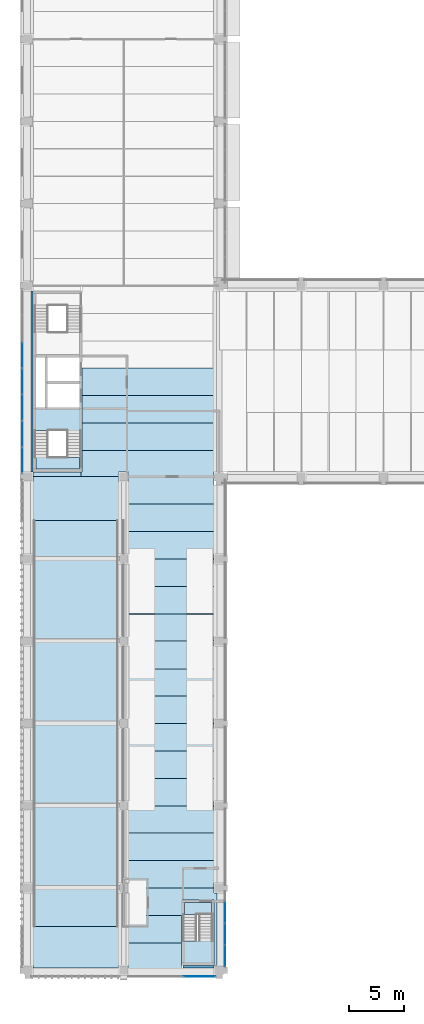
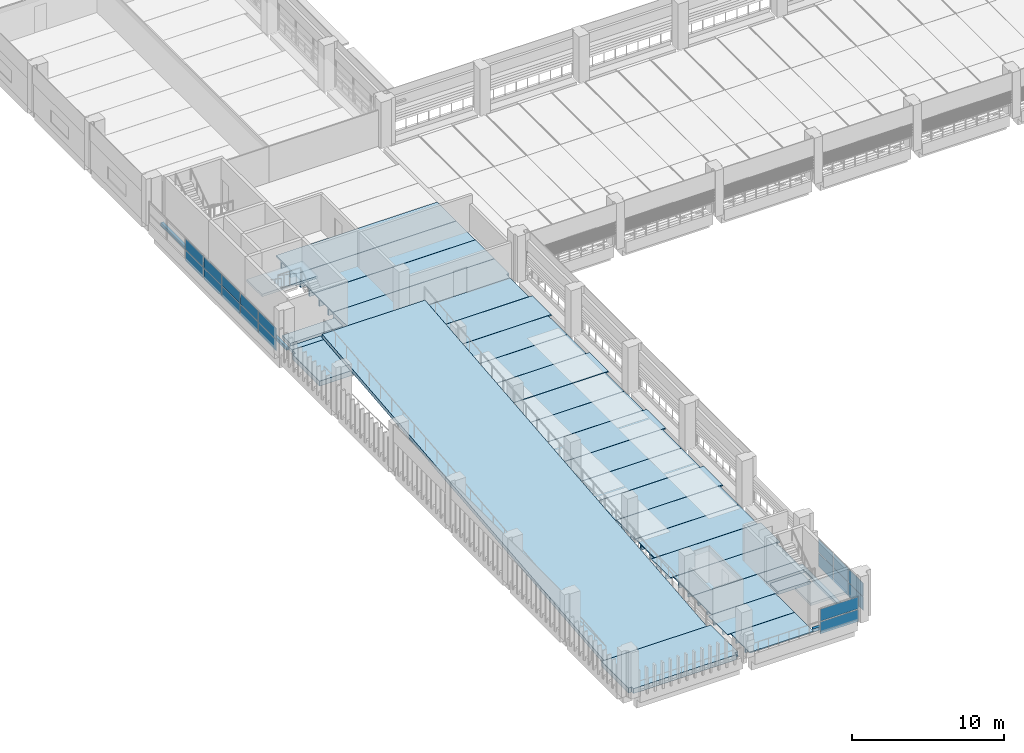
# One storey, part 25 of 61: 33 slabs, 18 plates, 5 elements without a shape of their own.
"""IFC4 building model written with IfcOpenShell, lengths in metres."""

from ifc_helpers import new_model, si_unit, direction, frame, origin, origin_2d, place, context, subcontext, project, spatial, polyline, rectangle, outline, extrude, material, layer, layer_set, material_profile, profile_set, type_object, element, aggregate, save


model = new_model("IFC4")

# Units and contexts
model_context = context("Model", 3, precision=1e-05, world=origin(), true_north=direction((0.0, 1.0)))
body_context = subcontext(model_context, "Body", "Model", "MODEL_VIEW")
ifc_project = project(units=[si_unit("LENGTHUNIT", "METRE"), si_unit("AREAUNIT", "SQUARE_METRE"), si_unit("VOLUMEUNIT", "CUBIC_METRE"), si_unit("PLANEANGLEUNIT", "RADIAN"), si_unit("MASSUNIT", "GRAM", prefix="KILO")], contexts=[model_context])

# Site, building, storey
site_placement = place(None, origin())
site = spatial("IfcSite", under=ifc_project, at=site_placement, CompositionType="ELEMENT")
building_placement = place(site_placement, origin())
building = spatial("IfcBuilding", under=site, at=building_placement, Name="Cour d'Honneur Mobility Palace", CompositionType="ELEMENT")
storey_placement = place(building_placement, frame((0.0, 0.0, 11.89990234375)))
storey = spatial("IfcBuildingStorey", under=building, at=storey_placement, Name="L03", CompositionType="ELEMENT", Elevation=11.89990234375)

# Slabs
ifc_material_1 = material(Name="Concrete C50", Category="concrete")
ifc_layer_1 = layer(ifc_material_1, 0.25)
ifc_layer_set_1 = layer_set([ifc_layer_1], Name="Concrete C50")
slab_type_1 = type_object("IfcSlabType", Name="Cast-in-place Slab 250", PredefinedType="FLOOR", material=ifc_layer_set_1)
slab_1_placement = place(storey_placement, frame((0.0, 0.0, -0.25)))
element("IfcSlab", 1, at=slab_1_placement, inside=storey, type_object=slab_type_1, Name="Cast-in-place slab S1 L03 core", PredefinedType="FLOOR", context=body_context, shape_type="SweptSolid", body=[
    extrude(outline(polyline([(0.449951171875, 45.449951171875), (4.800048828125, 45.449951171875), (4.800048828125, 45.0), (0.449951171875, 45.0), (0.449951171875, 45.449951171875)])), origin(), (0.0, 0.0, 1.0), 0.25),
])
slab_2_placement = place(storey_placement, frame((0.0, 0.0, -0.25)))
element("IfcSlab", 2, at=slab_2_placement, inside=storey, type_object=slab_type_1, Name="Cast-in-place slab S1 L03 core", PredefinedType="FLOOR", context=body_context, shape_type="SweptSolid", body=[
    extrude(outline(polyline([(0.449951171875, 61.949951171875), (0.449951171875, 45.449951171875), (0.25, 45.449951171875), (0.25, 61.949951171875), (0.449951171875, 61.949951171875)])), origin(), (0.0, 0.0, 1.0), 0.25),
])
slab_3_placement = place(storey_placement, frame((0.0, 0.0, -0.25)))
element("IfcSlab", 3, at=slab_3_placement, inside=storey, type_object=slab_type_1, Name="Cast-in-place slab S1 L03 core", PredefinedType="FLOOR", context=body_context, shape_type="SweptSolid", body=[
    extrude(outline(polyline([(0.699951171875, 45.699951171875), (0.699951171875, 46.77490234375), (4.675048828125, 46.77490234375), (4.675048828125, 45.699951171875), (0.699951171875, 45.699951171875)])), origin(), (0.0, 0.0, 1.0), 0.25),
])
slab_4_placement = place(storey_placement, frame((0.0, 0.0, -0.25)))
element("IfcSlab", 4, at=slab_4_placement, inside=storey, type_object=slab_type_1, Name="Cast-in-place slab S1 L03 stair strip", PredefinedType="FLOOR", context=body_context, shape_type="SweptSolid", body=[
    extrude(outline(polyline([(16.949951171875, 7.050048828125), (17.199951171875, 7.050048828125), (17.199951171875, 0.449951171875), (16.949951171875, 0.449951171875), (16.949951171875, 6.425048828125), (14.10009765625, 6.425048828125), (14.10009765625, 7.5), (16.949951171875, 7.5), (16.949951171875, 7.050048828125)])), origin(), (0.0, 0.0, 1.0), 0.25),
])
slab_5_placement = place(storey_placement, frame((0.0, 0.0, -0.25)))
element("IfcSlab", 5, at=slab_5_placement, inside=storey, type_object=slab_type_1, Name="Cast-in-place slab S1 L03 stair strip", PredefinedType="FLOOR", context=body_context, shape_type="SweptSolid", body=[
    extrude(outline(polyline([(16.949951171875, 0.22509765625), (14.10009765625, 0.22509765625), (14.10009765625, 0.449951171875), (16.949951171875, 0.449951171875), (16.949951171875, 0.22509765625)])), origin(), (0.0, 0.0, 1.0), 0.25),
])
slab_6_placement = place(storey_placement, frame((0.0, 0.0, -0.25)))
element("IfcSlab", 6, at=slab_6_placement, inside=storey, type_object=slab_type_1, Name="Cast-in-place slab S1 L03 stair strip", PredefinedType="FLOOR", context=body_context, shape_type="SweptSolid", body=[
    extrude(outline(polyline([(14.22509765625, 5.10009765625), (14.22509765625, 6.175048828125), (16.699951171875, 6.175048828125), (16.699951171875, 5.10009765625), (14.22509765625, 5.10009765625)])), origin(), (0.0, 0.0, 1.0), 0.25),
])
ifc_material_2 = material(Name="Concrete C50", Category="concrete")
ifc_layer_2 = layer(ifc_material_2, 0.39990234375)
ifc_layer_set_2 = layer_set([ifc_layer_2], Name="Concrete C50")
slab_type_2 = type_object("IfcSlabType", Name="Cast-in-place Slab 400", PredefinedType="LANDING", material=ifc_layer_set_2)
slab_7_placement = place(storey_placement, frame((0.0, 0.0, -0.39990234375)))
element("IfcSlab", 7, at=slab_7_placement, inside=storey, type_object=slab_type_2, Name="Cast-in-place slab S3 L03 landing", PredefinedType="LANDING", context=body_context, shape_type="SweptSolid", body=[
    extrude(outline(polyline([(8.25, 0.449951171875), (8.25, 0.22509765625), (0.449951171875, 0.22509765625), (0.449951171875, 0.449951171875), (0.199951171875, 0.449951171875), (0.199951171875, 4.0), (8.5, 4.0), (8.5, 0.449951171875), (8.25, 0.449951171875)])), origin(), (0.0, 0.0, 1.0), 0.39990234375),
])
slab_8_placement = place(storey_placement, frame((0.0, 0.0, -0.39990234375)))
element("IfcSlab", 8, at=slab_8_placement, inside=storey, type_object=slab_type_2, Name="Cast-in-place slab S3 L03 landing", PredefinedType="LANDING", context=body_context, shape_type="SweptSolid", body=[
    extrude(outline(polyline([(8.5, 44.550048828125), (8.5, 41.0), (0.199951171875, 41.0), (0.199951171875, 44.550048828125), (0.449951171875, 44.550048828125), (0.449951171875, 45.0), (8.25, 45.0), (8.25, 44.550048828125), (8.5, 44.550048828125)])), origin(), (0.0, 0.0, 1.0), 0.39990234375),
])
ifc_material_3 = material(Name="Concrete C50", Category="concrete")
ifc_layer_3 = layer(ifc_material_3, 0.800048828125)
ifc_layer_set_3 = layer_set([ifc_layer_3], Name="Concrete C50")
slab_type_3 = type_object("IfcSlabType", Name="Cast-in-place Slab 800", PredefinedType="FLOOR", material=ifc_layer_set_3)
slab_9_placement = place(storey_placement, frame((0.0, 0.0, -0.7998046875)))
element("IfcSlab", 9, at=slab_9_placement, inside=storey, type_object=slab_type_3, Name="Cast-in-place slab S2 L03 closure", PredefinedType="FLOOR", context=body_context, shape_type="SweptSolid", body=[
    extrude(outline(polyline([(16.949951171875, 45.449951171875), (16.949951171875, 45.0), (9.14990234375, 45.0), (9.14990234375, 45.449951171875), (8.25, 45.449951171875), (8.25, 45.0), (4.800048828125, 45.0), (4.800048828125, 45.449951171875), (4.925048828125, 45.449951171875), (4.925048828125, 47.39990234375), (17.14990234375, 47.39990234375), (17.14990234375, 45.449951171875), (16.949951171875, 45.449951171875)])), origin(), (0.0, 0.0, 1.0), 0.7998046875),
])

# Curtain wall, plates
ifc_material_4 = material(Name="Aluminium and glass", Category="aluminium")
ifc_layer_4 = layer(ifc_material_4, 0.10009765625)
ifc_layer_set_4 = layer_set([ifc_layer_4], Name="Aluminium and glass")
curtain_wall_type = type_object("IfcCurtainWallType", Name="Curtain wall run", PredefinedType="NOTDEFINED", material=ifc_layer_set_4)
curtain_wall_1_placement = place(storey_placement, origin())
curtain_wall_1 = element("IfcCurtainWall", 10, at=curtain_wall_1_placement, inside=storey, type_object=curtain_wall_type, Name="Curtain wall CW-102", PredefinedType="NOTDEFINED")
ifc_material_5 = material(Name="Double glazing", Category="glass")
ifc_layer_5 = layer(ifc_material_5, 0.028076171875)
ifc_layer_set_5 = layer_set([ifc_layer_5], Name="Double glazing")
plate_type = type_object("IfcPlateType", Name="Curtain wall panel", PredefinedType="CURTAIN_PANEL", material=ifc_layer_set_5)
plate_1_placement = place(storey_placement, frame((-0.550048828125, 56.10009765625, 0.06005859375), z_axis=(0.0, 0.0, 1.0), x_axis=(0.0, -1.0, 0.0)))
plate_1 = element("IfcPlate", 11, at=plate_1_placement, type_object=plate_type, Name="CW-102 panel 3.1", PredefinedType="CURTAIN_PANEL", context=body_context, shape_type="SweptSolid", body=[
    extrude(rectangle(XDim=2.340087890625, YDim=0.028076171875, at=origin_2d()), origin(), (0.0, 0.0, 1.0), 0.860107421875),
])
plate_2_placement = place(storey_placement, frame((-0.550048828125, 56.10009765625, 0.97998046875), z_axis=(0.0, 0.0, 1.0), x_axis=(0.0, -1.0, 0.0)))
plate_2 = element("IfcPlate", 12, at=plate_2_placement, type_object=plate_type, Name="CW-102 panel 3.2", PredefinedType="CURTAIN_PANEL", context=body_context, shape_type="SweptSolid", body=[
    extrude(rectangle(XDim=2.340087890625, YDim=0.028076171875, at=origin_2d()), origin(), (0.0, 0.0, 1.0), 0.860107421875),
])
plate_3_placement = place(storey_placement, frame((-0.550048828125, 53.699951171875, 0.06005859375), z_axis=(0.0, 0.0, 1.0), x_axis=(0.0, -1.0, 0.0)))
plate_3 = element("IfcPlate", 13, at=plate_3_placement, type_object=plate_type, Name="CW-102 panel 4.1", PredefinedType="CURTAIN_PANEL", context=body_context, shape_type="SweptSolid", body=[
    extrude(rectangle(XDim=2.340087890625, YDim=0.028076171875, at=origin_2d()), origin(), (0.0, 0.0, 1.0), 0.860107421875),
])
plate_4_placement = place(storey_placement, frame((-0.550048828125, 53.699951171875, 0.97998046875), z_axis=(0.0, 0.0, 1.0), x_axis=(0.0, -1.0, 0.0)))
plate_4 = element("IfcPlate", 14, at=plate_4_placement, type_object=plate_type, Name="CW-102 panel 4.2", PredefinedType="CURTAIN_PANEL", context=body_context, shape_type="SweptSolid", body=[
    extrude(rectangle(XDim=2.340087890625, YDim=0.028076171875, at=origin_2d()), origin(), (0.0, 0.0, 1.0), 0.860107421875),
])
plate_5_placement = place(storey_placement, frame((-0.550048828125, 51.300048828125, 0.06005859375), z_axis=(0.0, 0.0, 1.0), x_axis=(0.0, -1.0, 0.0)))
plate_5 = element("IfcPlate", 15, at=plate_5_placement, type_object=plate_type, Name="CW-102 panel 5.1", PredefinedType="CURTAIN_PANEL", context=body_context, shape_type="SweptSolid", body=[
    extrude(rectangle(XDim=2.340087890625, YDim=0.028076171875, at=origin_2d()), origin(), (0.0, 0.0, 1.0), 0.860107421875),
])
plate_6_placement = place(storey_placement, frame((-0.550048828125, 51.300048828125, 0.97998046875), z_axis=(0.0, 0.0, 1.0), x_axis=(0.0, -1.0, 0.0)))
plate_6 = element("IfcPlate", 16, at=plate_6_placement, type_object=plate_type, Name="CW-102 panel 5.2", PredefinedType="CURTAIN_PANEL", context=body_context, shape_type="SweptSolid", body=[
    extrude(rectangle(XDim=2.340087890625, YDim=0.028076171875, at=origin_2d()), origin(), (0.0, 0.0, 1.0), 0.860107421875),
])
plate_7_placement = place(storey_placement, frame((-0.550048828125, 48.89990234375, 0.06005859375), z_axis=(0.0, 0.0, 1.0), x_axis=(0.0, -1.0, 0.0)))
plate_7 = element("IfcPlate", 17, at=plate_7_placement, type_object=plate_type, Name="CW-102 panel 6.1", PredefinedType="CURTAIN_PANEL", context=body_context, shape_type="SweptSolid", body=[
    extrude(rectangle(XDim=2.340087890625, YDim=0.028076171875, at=origin_2d()), origin(), (0.0, 0.0, 1.0), 0.860107421875),
])
plate_8_placement = place(storey_placement, frame((-0.550048828125, 48.89990234375, 0.97998046875), z_axis=(0.0, 0.0, 1.0), x_axis=(0.0, -1.0, 0.0)))
plate_8 = element("IfcPlate", 18, at=plate_8_placement, type_object=plate_type, Name="CW-102 panel 6.2", PredefinedType="CURTAIN_PANEL", context=body_context, shape_type="SweptSolid", body=[
    extrude(rectangle(XDim=2.340087890625, YDim=0.028076171875, at=origin_2d()), origin(), (0.0, 0.0, 1.0), 0.860107421875),
])
plate_9_placement = place(storey_placement, frame((-0.550048828125, 46.514892578125, 0.06005859375), z_axis=(0.0, 0.0, 1.0), x_axis=(0.0, -1.0, 0.0)))
plate_9 = element("IfcPlate", 19, at=plate_9_placement, type_object=plate_type, Name="CW-102 panel 7.1", PredefinedType="CURTAIN_PANEL", context=body_context, shape_type="SweptSolid", body=[
    extrude(rectangle(XDim=2.31005859375, YDim=0.028076171875, at=origin_2d()), origin(), (0.0, 0.0, 1.0), 0.860107421875),
])
plate_10_placement = place(storey_placement, frame((-0.550048828125, 46.514892578125, 0.97998046875), z_axis=(0.0, 0.0, 1.0), x_axis=(0.0, -1.0, 0.0)))
plate_10 = element("IfcPlate", 20, at=plate_10_placement, type_object=plate_type, Name="CW-102 panel 7.2", PredefinedType="CURTAIN_PANEL", context=body_context, shape_type="SweptSolid", body=[
    extrude(rectangle(XDim=2.31005859375, YDim=0.028076171875, at=origin_2d()), origin(), (0.0, 0.0, 1.0), 0.860107421875),
])
aggregate(curtain_wall_1, [plate_1, plate_2, plate_3, plate_4, plate_5, plate_6, plate_7, plate_8, plate_9, plate_10])

curtain_wall_2_placement = place(storey_placement, origin())
curtain_wall_2 = element("IfcCurtainWall", 21, at=curtain_wall_2_placement, inside=storey, type_object=curtain_wall_type, Name="Curtain wall CW-157", PredefinedType="NOTDEFINED")
plate_11_placement = place(storey_placement, frame((15.60009765625, -0.550048828125, 0.06005859375), z_axis=(0.0, 0.0, 1.0), x_axis=(1.0, 0.0, 0.0)))
plate_11 = element("IfcPlate", 22, at=plate_11_placement, type_object=plate_type, Name="CW-157 panel 1.1", PredefinedType="CURTAIN_PANEL", context=body_context, shape_type="SweptSolid", body=[
    extrude(rectangle(XDim=2.8798828125, YDim=0.028076171875, at=origin_2d()), origin(), (0.0, 0.0, 1.0), 0.9599609375),
])
plate_12_placement = place(storey_placement, frame((15.60009765625, -0.550048828125, 1.080078125), z_axis=(0.0, 0.0, 1.0), x_axis=(1.0, 0.0, 0.0)))
plate_12 = element("IfcPlate", 23, at=plate_12_placement, type_object=plate_type, Name="CW-157 panel 1.2", PredefinedType="CURTAIN_PANEL", context=body_context, shape_type="SweptSolid", body=[
    extrude(rectangle(XDim=2.8798828125, YDim=0.028076171875, at=origin_2d()), origin(), (0.0, 0.0, 1.0), 0.9599609375),
])
aggregate(curtain_wall_2, [plate_11, plate_12])

curtain_wall_3_placement = place(storey_placement, origin())
curtain_wall_3 = element("IfcCurtainWall", 24, at=curtain_wall_3_placement, inside=storey, type_object=curtain_wall_type, Name="Curtain wall CW-158", PredefinedType="NOTDEFINED")
plate_13_placement = place(storey_placement, frame((17.949951171875, 1.31494140625, 0.06005859375), z_axis=(0.0, 0.0, 1.0), x_axis=(0.0, 1.0, 0.0)))
plate_13 = element("IfcPlate", 25, at=plate_13_placement, type_object=plate_type, Name="CW-158 panel 1.1", PredefinedType="CURTAIN_PANEL", context=body_context, shape_type="SweptSolid", body=[
    extrude(rectangle(XDim=1.909912109375, YDim=0.028076171875, at=origin_2d()), origin(), (0.0, 0.0, 1.0), 1.06005859375),
])
plate_14_placement = place(storey_placement, frame((17.949951171875, 1.31494140625, 1.18017578125), z_axis=(0.0, 0.0, 1.0), x_axis=(0.0, 1.0, 0.0)))
plate_14 = element("IfcPlate", 26, at=plate_14_placement, type_object=plate_type, Name="CW-158 panel 1.2", PredefinedType="CURTAIN_PANEL", context=body_context, shape_type="SweptSolid", body=[
    extrude(rectangle(XDim=1.909912109375, YDim=0.028076171875, at=origin_2d()), origin(), (0.0, 0.0, 1.0), 1.06005859375),
])
plate_15_placement = place(storey_placement, frame((17.949951171875, 3.300048828125, 0.06005859375), z_axis=(0.0, 0.0, 1.0), x_axis=(0.0, 1.0, 0.0)))
plate_15 = element("IfcPlate", 27, at=plate_15_placement, type_object=plate_type, Name="CW-158 panel 2.1", PredefinedType="CURTAIN_PANEL", context=body_context, shape_type="SweptSolid", body=[
    extrude(rectangle(XDim=1.93994140625, YDim=0.028076171875, at=origin_2d()), origin(), (0.0, 0.0, 1.0), 1.06005859375),
])
plate_16_placement = place(storey_placement, frame((17.949951171875, 3.300048828125, 1.18017578125), z_axis=(0.0, 0.0, 1.0), x_axis=(0.0, 1.0, 0.0)))
plate_16 = element("IfcPlate", 28, at=plate_16_placement, type_object=plate_type, Name="CW-158 panel 2.2", PredefinedType="CURTAIN_PANEL", context=body_context, shape_type="SweptSolid", body=[
    extrude(rectangle(XDim=1.93994140625, YDim=0.028076171875, at=origin_2d()), origin(), (0.0, 0.0, 1.0), 1.06005859375),
])
plate_17_placement = place(storey_placement, frame((17.949951171875, 5.284912109375, 0.06005859375), z_axis=(0.0, 0.0, 1.0), x_axis=(0.0, 1.0, 0.0)))
plate_17 = element("IfcPlate", 29, at=plate_17_placement, type_object=plate_type, Name="CW-158 panel 3.1", PredefinedType="CURTAIN_PANEL", context=body_context, shape_type="SweptSolid", body=[
    extrude(rectangle(XDim=1.909912109375, YDim=0.028076171875, at=origin_2d()), origin(), (0.0, 0.0, 1.0), 1.06005859375),
])
plate_18_placement = place(storey_placement, frame((17.949951171875, 5.284912109375, 1.18017578125), z_axis=(0.0, 0.0, 1.0), x_axis=(0.0, 1.0, 0.0)))
plate_18 = element("IfcPlate", 30, at=plate_18_placement, type_object=plate_type, Name="CW-158 panel 3.2", PredefinedType="CURTAIN_PANEL", context=body_context, shape_type="SweptSolid", body=[
    extrude(rectangle(XDim=1.909912109375, YDim=0.028076171875, at=origin_2d()), origin(), (0.0, 0.0, 1.0), 1.06005859375),
])
aggregate(curtain_wall_3, [plate_13, plate_14, plate_15, plate_16, plate_17, plate_18])

# Slabs
ifc_material_6 = material(Name="Concrete C45", Category="concrete")
ifc_material_profile_1 = material_profile(ifc_material_6, outline(polyline([(-1.2451171875, 0.0), (1.2451171875, 0.0), (1.2451171875, -0.074951171875), (0.659912109375, -0.074951171875), (0.639892578125, -0.39990234375), (0.56005859375, -0.39990234375), (0.5400390625, -0.074951171875), (-0.5400390625, -0.074951171875), (-0.56005859375, -0.39990234375), (-0.639892578125, -0.39990234375), (-0.659912109375, -0.074951171875), (-1.2451171875, -0.074951171875), (-1.2451171875, 0.0)])), Name="DT 2490x400")
ifc_profile_set_1 = profile_set([ifc_material_profile_1], Name="Concrete C45")
slab_type_4 = type_object("IfcSlabType", Name="DT 2490x400", PredefinedType="FLOOR", material=ifc_profile_set_1)
slab_10_placement = place(storey_placement, frame((9.14990234375, 1.25, 0.0), z_axis=(1.0, 0.0, 0.0), x_axis=(0.0, 1.0, 0.0)))
element("IfcSlab", 31, at=slab_10_placement, inside=storey, type_object=slab_type_4, Name="Double tee DT-SW1 L03", PredefinedType="FLOOR", context=body_context, shape_type="SweptSolid", body=[
    extrude(outline(polyline([(-1.2451171875, 0.0), (1.2451171875, 0.0), (1.2451171875, -0.074951171875), (0.659912109375, -0.074951171875), (0.639892578125, -0.39990234375), (0.56005859375, -0.39990234375), (0.5400390625, -0.074951171875), (-0.5400390625, -0.074951171875), (-0.56005859375, -0.39990234375), (-0.639892578125, -0.39990234375), (-0.659912109375, -0.074951171875), (-1.2451171875, -0.074951171875), (-1.2451171875, 0.0)])), origin(), (0.0, 0.0, 1.0), 4.8251953125),
])
slab_11_placement = place(storey_placement, frame((8.89990234375, 3.75, 0.0), z_axis=(1.0, 0.0, 0.0), x_axis=(0.0, 1.0, 0.0)))
element("IfcSlab", 32, at=slab_11_placement, inside=storey, type_object=slab_type_4, Name="Double tee DT-SW2 L03", PredefinedType="FLOOR", context=body_context, shape_type="SweptSolid", body=[
    extrude(outline(polyline([(-1.2451171875, 0.0), (1.2451171875, 0.0), (1.2451171875, -0.074951171875), (0.659912109375, -0.074951171875), (0.639892578125, -0.39990234375), (0.56005859375, -0.39990234375), (0.5400390625, -0.074951171875), (-0.5400390625, -0.074951171875), (-0.56005859375, -0.39990234375), (-0.639892578125, -0.39990234375), (-0.659912109375, -0.074951171875), (-1.2451171875, -0.074951171875), (-1.2451171875, 0.0)])), origin(), (0.0, 0.0, 1.0), 5.0751953125),
])
slab_12_placement = place(storey_placement, frame((9.14990234375, 6.25, 0.0), z_axis=(1.0, 0.0, 0.0), x_axis=(0.0, 1.0, 0.0)))
element("IfcSlab", 33, at=slab_12_placement, inside=storey, type_object=slab_type_4, Name="Double tee DT-SW3 L03", PredefinedType="FLOOR", context=body_context, shape_type="SweptSolid", body=[
    extrude(outline(polyline([(-1.2451171875, 0.0), (1.2451171875, 0.0), (1.2451171875, -0.074951171875), (0.659912109375, -0.074951171875), (0.639892578125, -0.39990234375), (0.56005859375, -0.39990234375), (0.5400390625, -0.074951171875), (-0.5400390625, -0.074951171875), (-0.56005859375, -0.39990234375), (-0.639892578125, -0.39990234375), (-0.659912109375, -0.074951171875), (-1.2451171875, -0.074951171875), (-1.2451171875, 0.0)])), origin(), (0.0, 0.0, 1.0), 4.9501953125),
])
ifc_material_7 = material(Name="Concrete C45", Category="concrete")
ifc_material_profile_2 = material_profile(ifc_material_7, outline(polyline([(-1.2451171875, 0.0), (1.2451171875, 0.0), (1.2451171875, -0.10009765625), (0.669921875, -0.10009765625), (0.64501953125, -0.5), (0.554931640625, -0.5), (0.530029296875, -0.10009765625), (-0.530029296875, -0.10009765625), (-0.554931640625, -0.5), (-0.64501953125, -0.5), (-0.669921875, -0.10009765625), (-1.2451171875, -0.10009765625), (-1.2451171875, 0.0)])), Name="DT 2490x500")
ifc_profile_set_2 = profile_set([ifc_material_profile_2], Name="Concrete C45")
slab_type_5 = type_object("IfcSlabType", Name="DT 2490x500", PredefinedType="FLOOR", material=ifc_profile_set_2)
slab_13_placement = place(storey_placement, frame((9.14990234375, 8.75, 0.0), z_axis=(1.0, 0.0, 0.0), x_axis=(0.0, 1.0, 0.0)))
element("IfcSlab", 34, at=slab_13_placement, inside=storey, type_object=slab_type_5, Name="Double tee DT-SW4 L03", PredefinedType="FLOOR", context=body_context, shape_type="SweptSolid", body=[
    extrude(outline(polyline([(-1.2451171875, 0.0), (1.2451171875, 0.0), (1.2451171875, -0.10009765625), (0.669921875, -0.10009765625), (0.64501953125, -0.5), (0.554931640625, -0.5), (0.530029296875, -0.10009765625), (-0.530029296875, -0.10009765625), (-0.554931640625, -0.5), (-0.64501953125, -0.5), (-0.669921875, -0.10009765625), (-1.2451171875, -0.10009765625), (-1.2451171875, 0.0)])), origin(), (0.0, 0.0, 1.0), 7.800048828125),
])
slab_14_placement = place(storey_placement, frame((8.89990234375, 11.25, 0.0), z_axis=(1.0, 0.0, 0.0), x_axis=(0.0, 1.0, 0.0)))
element("IfcSlab", 35, at=slab_14_placement, inside=storey, type_object=slab_type_5, Name="Double tee DT-SW5 L03", PredefinedType="FLOOR", context=body_context, shape_type="SweptSolid", body=[
    extrude(outline(polyline([(-1.2451171875, 0.0), (1.2451171875, 0.0), (1.2451171875, -0.10009765625), (0.669921875, -0.10009765625), (0.64501953125, -0.5), (0.554931640625, -0.5), (0.530029296875, -0.10009765625), (-0.530029296875, -0.10009765625), (-0.554931640625, -0.5), (-0.64501953125, -0.5), (-0.669921875, -0.10009765625), (-1.2451171875, -0.10009765625), (-1.2451171875, 0.0)])), origin(), (0.0, 0.0, 1.0), 8.300048828125),
])
for number, where, z_axis, x_axis, name in (
    (36, (9.14990234375, 13.75, 0.0), (1.0, 0.0, 0.0), (0.0, 1.0, 0.0), "Double tee DT-SW6 L03"),
    (37, (9.14990234375, 16.25, 0.0), (1.0, 0.0, 0.0), (0.0, 1.0, 0.0), "Double tee DT-SW7 L03"),
):
    element("IfcSlab", number, at=place(storey_placement, frame(where, z_axis=z_axis, x_axis=x_axis)), inside=storey, type_object=slab_type_5, Name=name, PredefinedType="FLOOR", context=body_context, shape_type="SweptSolid", body=[
        extrude(outline(polyline([(-1.2451171875, 0.0), (1.2451171875, 0.0), (1.2451171875, -0.10009765625), (0.669921875, -0.10009765625), (0.64501953125, -0.5), (0.554931640625, -0.5), (0.530029296875, -0.10009765625), (-0.530029296875, -0.10009765625), (-0.554931640625, -0.5), (-0.64501953125, -0.5), (-0.669921875, -0.10009765625), (-1.2451171875, -0.10009765625), (-1.2451171875, 0.0)])), origin(), (0.0, 0.0, 1.0), 7.800048828125),
    ])
slab_15_placement = place(storey_placement, frame((8.89990234375, 18.75, 0.0), z_axis=(1.0, 0.0, 0.0), x_axis=(0.0, 1.0, 0.0)))
element("IfcSlab", 38, at=slab_15_placement, inside=storey, type_object=slab_type_5, Name="Double tee DT-SW8 L03", PredefinedType="FLOOR", context=body_context, shape_type="SweptSolid", body=[
    extrude(outline(polyline([(-1.2451171875, 0.0), (1.2451171875, 0.0), (1.2451171875, -0.10009765625), (0.669921875, -0.10009765625), (0.64501953125, -0.5), (0.554931640625, -0.5), (0.530029296875, -0.10009765625), (-0.530029296875, -0.10009765625), (-0.554931640625, -0.5), (-0.64501953125, -0.5), (-0.669921875, -0.10009765625), (-1.2451171875, -0.10009765625), (-1.2451171875, 0.0)])), origin(), (0.0, 0.0, 1.0), 8.300048828125),
])
for number, where, z_axis, x_axis, name in (
    (39, (9.14990234375, 21.25, 0.0), (1.0, 0.0, 0.0), (0.0, 1.0, 0.0), "Double tee DT-SW9 L03"),
    (40, (9.14990234375, 23.75, 0.0), (1.0, 0.0, 0.0), (0.0, 1.0, 0.0), "Double tee DT-SW10 L03"),
):
    element("IfcSlab", number, at=place(storey_placement, frame(where, z_axis=z_axis, x_axis=x_axis)), inside=storey, type_object=slab_type_5, Name=name, PredefinedType="FLOOR", context=body_context, shape_type="SweptSolid", body=[
        extrude(outline(polyline([(-1.2451171875, 0.0), (1.2451171875, 0.0), (1.2451171875, -0.10009765625), (0.669921875, -0.10009765625), (0.64501953125, -0.5), (0.554931640625, -0.5), (0.530029296875, -0.10009765625), (-0.530029296875, -0.10009765625), (-0.554931640625, -0.5), (-0.64501953125, -0.5), (-0.669921875, -0.10009765625), (-1.2451171875, -0.10009765625), (-1.2451171875, 0.0)])), origin(), (0.0, 0.0, 1.0), 7.800048828125),
    ])
slab_16_placement = place(storey_placement, frame((8.89990234375, 26.25, 0.0), z_axis=(1.0, 0.0, 0.0), x_axis=(0.0, 1.0, 0.0)))
element("IfcSlab", 41, at=slab_16_placement, inside=storey, type_object=slab_type_5, Name="Double tee DT-SW11 L03", PredefinedType="FLOOR", context=body_context, shape_type="SweptSolid", body=[
    extrude(outline(polyline([(-1.2451171875, 0.0), (1.2451171875, 0.0), (1.2451171875, -0.10009765625), (0.669921875, -0.10009765625), (0.64501953125, -0.5), (0.554931640625, -0.5), (0.530029296875, -0.10009765625), (-0.530029296875, -0.10009765625), (-0.554931640625, -0.5), (-0.64501953125, -0.5), (-0.669921875, -0.10009765625), (-1.2451171875, -0.10009765625), (-1.2451171875, 0.0)])), origin(), (0.0, 0.0, 1.0), 8.300048828125),
])
for number, where, z_axis, x_axis, name in (
    (42, (9.14990234375, 28.75, 0.0), (1.0, 0.0, 0.0), (0.0, 1.0, 0.0), "Double tee DT-SW12 L03"),
    (43, (9.14990234375, 31.25, 0.0), (1.0, 0.0, 0.0), (0.0, 1.0, 0.0), "Double tee DT-SW13 L03"),
):
    element("IfcSlab", number, at=place(storey_placement, frame(where, z_axis=z_axis, x_axis=x_axis)), inside=storey, type_object=slab_type_5, Name=name, PredefinedType="FLOOR", context=body_context, shape_type="SweptSolid", body=[
        extrude(outline(polyline([(-1.2451171875, 0.0), (1.2451171875, 0.0), (1.2451171875, -0.10009765625), (0.669921875, -0.10009765625), (0.64501953125, -0.5), (0.554931640625, -0.5), (0.530029296875, -0.10009765625), (-0.530029296875, -0.10009765625), (-0.554931640625, -0.5), (-0.64501953125, -0.5), (-0.669921875, -0.10009765625), (-1.2451171875, -0.10009765625), (-1.2451171875, 0.0)])), origin(), (0.0, 0.0, 1.0), 7.800048828125),
    ])
slab_17_placement = place(storey_placement, frame((8.89990234375, 33.75, 0.0), z_axis=(1.0, 0.0, 0.0), x_axis=(0.0, 1.0, 0.0)))
element("IfcSlab", 44, at=slab_17_placement, inside=storey, type_object=slab_type_5, Name="Double tee DT-SW14 L03", PredefinedType="FLOOR", context=body_context, shape_type="SweptSolid", body=[
    extrude(outline(polyline([(-1.2451171875, 0.0), (1.2451171875, 0.0), (1.2451171875, -0.10009765625), (0.669921875, -0.10009765625), (0.64501953125, -0.5), (0.554931640625, -0.5), (0.530029296875, -0.10009765625), (-0.530029296875, -0.10009765625), (-0.554931640625, -0.5), (-0.64501953125, -0.5), (-0.669921875, -0.10009765625), (-1.2451171875, -0.10009765625), (-1.2451171875, 0.0)])), origin(), (0.0, 0.0, 1.0), 8.300048828125),
])
for number, where, z_axis, x_axis, name in (
    (45, (9.14990234375, 36.25, 0.0), (1.0, 0.0, 0.0), (0.0, 1.0, 0.0), "Double tee DT-SW15 L03"),
    (46, (9.14990234375, 38.75, 0.0), (1.0, 0.0, 0.0), (0.0, 1.0, 0.0), "Double tee DT-SW16 L03"),
):
    element("IfcSlab", number, at=place(storey_placement, frame(where, z_axis=z_axis, x_axis=x_axis)), inside=storey, type_object=slab_type_5, Name=name, PredefinedType="FLOOR", context=body_context, shape_type="SweptSolid", body=[
        extrude(outline(polyline([(-1.2451171875, 0.0), (1.2451171875, 0.0), (1.2451171875, -0.10009765625), (0.669921875, -0.10009765625), (0.64501953125, -0.5), (0.554931640625, -0.5), (0.530029296875, -0.10009765625), (-0.530029296875, -0.10009765625), (-0.554931640625, -0.5), (-0.64501953125, -0.5), (-0.669921875, -0.10009765625), (-1.2451171875, -0.10009765625), (-1.2451171875, 0.0)])), origin(), (0.0, 0.0, 1.0), 7.800048828125),
    ])
slab_18_placement = place(storey_placement, frame((8.89990234375, 41.25, 0.0), z_axis=(1.0, 0.0, 0.0), x_axis=(0.0, 1.0, 0.0)))
element("IfcSlab", 47, at=slab_18_placement, inside=storey, type_object=slab_type_5, Name="Double tee DT-SW17 L03", PredefinedType="FLOOR", context=body_context, shape_type="SweptSolid", body=[
    extrude(outline(polyline([(-1.2451171875, 0.0), (1.2451171875, 0.0), (1.2451171875, -0.10009765625), (0.669921875, -0.10009765625), (0.64501953125, -0.5), (0.554931640625, -0.5), (0.530029296875, -0.10009765625), (-0.530029296875, -0.10009765625), (-0.554931640625, -0.5), (-0.64501953125, -0.5), (-0.669921875, -0.10009765625), (-1.2451171875, -0.10009765625), (-1.2451171875, 0.0)])), origin(), (0.0, 0.0, 1.0), 8.300048828125),
])
slab_19_placement = place(storey_placement, frame((9.14990234375, 43.75, 0.0), z_axis=(1.0, 0.0, 0.0), x_axis=(0.0, 1.0, 0.0)))
element("IfcSlab", 48, at=slab_19_placement, inside=storey, type_object=slab_type_5, Name="Double tee DT-SW18 L03", PredefinedType="FLOOR", context=body_context, shape_type="SweptSolid", body=[
    extrude(outline(polyline([(-1.2451171875, 0.0), (1.2451171875, 0.0), (1.2451171875, -0.10009765625), (0.669921875, -0.10009765625), (0.64501953125, -0.5), (0.554931640625, -0.5), (0.530029296875, -0.10009765625), (-0.530029296875, -0.10009765625), (-0.554931640625, -0.5), (-0.64501953125, -0.5), (-0.669921875, -0.10009765625), (-1.2451171875, -0.10009765625), (-1.2451171875, 0.0)])), origin(), (0.0, 0.0, 1.0), 7.800048828125),
])
ifc_material_8 = material(Name="Concrete C45", Category="concrete")
ifc_material_profile_3 = material_profile(ifc_material_8, outline(polyline([(-1.2451171875, 0.0), (1.2451171875, 0.0), (1.2451171875, -0.10009765625), (0.679931640625, -0.10009765625), (0.64990234375, -0.64990234375), (0.550048828125, -0.64990234375), (0.52001953125, -0.10009765625), (-0.52001953125, -0.10009765625), (-0.550048828125, -0.64990234375), (-0.64990234375, -0.64990234375), (-0.679931640625, -0.10009765625), (-1.2451171875, -0.10009765625), (-1.2451171875, 0.0)])), Name="DT 2490x650")
ifc_profile_set_3 = profile_set([ifc_material_profile_3], Name="Concrete C45")
slab_type_6 = type_object("IfcSlabType", Name="DT 2490x650", PredefinedType="FLOOR", material=ifc_profile_set_3)
for number, where, z_axis, x_axis, name in (
    (49, (4.925048828125, 48.64990234375, 0.0), (1.0, 0.0, 0.0), (0.0, 1.0, 0.0), "Double tee DT-JW1 L03"),
    (50, (4.925048828125, 51.14990234375, 0.0), (1.0, 0.0, 0.0), (0.0, 1.0, 0.0), "Double tee DT-JW2 L03"),
    (51, (4.925048828125, 53.64990234375, 0.0), (1.0, 0.0, 0.0), (0.0, 1.0, 0.0), "Double tee DT-JW3 L03"),
):
    element("IfcSlab", number, at=place(storey_placement, frame(where, z_axis=z_axis, x_axis=x_axis)), inside=storey, type_object=slab_type_6, Name=name, PredefinedType="FLOOR", context=body_context, shape_type="SweptSolid", body=[
        extrude(outline(polyline([(-1.2451171875, 0.0), (1.2451171875, 0.0), (1.2451171875, -0.10009765625), (0.679931640625, -0.10009765625), (0.64990234375, -0.64990234375), (0.550048828125, -0.64990234375), (0.52001953125, -0.10009765625), (-0.52001953125, -0.10009765625), (-0.550048828125, -0.64990234375), (-0.64990234375, -0.64990234375), (-0.679931640625, -0.10009765625), (-1.2451171875, -0.10009765625), (-1.2451171875, 0.0)])), origin(), (0.0, 0.0, 1.0), 12.224853515625),
    ])

# Stair, slab
ifc_material_9 = material(Name="Concrete C50", Category="concrete")
stair_type = type_object("IfcStairType", Name="Stair 20 risers", PredefinedType="HALF_TURN_STAIR", material=ifc_material_9)
stair_1_placement = place(storey_placement, origin())
stair_1 = element("IfcStair", 52, at=stair_1_placement, inside=storey, type_object=stair_type, Name="Stair ST-CW1", PredefinedType="HALF_TURN_STAIR")
ifc_material_10 = material(Name="Concrete C50", Category="concrete")
ifc_layer_6 = layer(ifc_material_10, 0.199951171875)
ifc_layer_set_6 = layer_set([ifc_layer_6], Name="Concrete C50")
slab_type_7 = type_object("IfcSlabType", Name="Stair landing", PredefinedType="LANDING", material=ifc_layer_set_6)
slab_20_placement = place(storey_placement, frame((0.0, 0.0, 1.650146484375)))
slab_20 = element("IfcSlab", 53, at=slab_20_placement, type_object=slab_type_7, Name="ST-CW1 landing 1", PredefinedType="LANDING", context=body_context, shape_type="SweptSolid", body=[
    extrude(outline(polyline([(0.574951171875, 49.205078125), (4.800048828125, 49.205078125), (4.800048828125, 51.199951171875), (0.574951171875, 51.199951171875), (0.574951171875, 49.205078125)])), origin(), (0.0, 0.0, 1.0), 0.199951171875),
])
aggregate(stair_1, [slab_20])

stair_2_placement = place(storey_placement, origin())
stair_2 = element("IfcStair", 54, at=stair_2_placement, inside=storey, type_object=stair_type, Name="Stair ST-RW1", PredefinedType="HALF_TURN_STAIR")
slab_21_placement = place(storey_placement, frame((0.0, 0.0, 1.650146484375)))
slab_21 = element("IfcSlab", 55, at=slab_21_placement, type_object=slab_type_7, Name="ST-RW1 landing 1", PredefinedType="LANDING", context=body_context, shape_type="SweptSolid", body=[
    extrude(outline(polyline([(14.10009765625, 0.574951171875), (16.824951171875, 0.574951171875), (16.824951171875, 2.669921875), (14.10009765625, 2.669921875), (14.10009765625, 0.574951171875)])), origin(), (0.0, 0.0, 1.0), 0.199951171875),
])
aggregate(stair_2, [slab_21])

# Slab
ifc_material_11 = material(Name="Concrete C45", Category="concrete")
ifc_layer_7 = layer(ifc_material_11, 0.300048828125)
ifc_layer_set_7 = layer_set([ifc_layer_7], Name="Concrete C45")
slab_type_8 = type_object("IfcSlabType", Name="Vehicle ramp slab 300", PredefinedType="USERDEFINED", material=ifc_layer_set_7)
slab_22_placement = place(storey_placement, frame((0.39990234375, 4.0, 0.0), z_axis=(0.0, -0.099508919531, 0.995036670145), x_axis=(1.0, 0.0, 0.0)))
element("IfcSlab", 56, at=slab_22_placement, inside=storey, type_object=slab_type_8, Name="Vehicle ramp West 4 slab", ObjectType="VEHICLE RAMP SLAB", PredefinedType="USERDEFINED", context=body_context, shape_type="SweptSolid", body=[
    extrude(outline(polyline([(0.0, 0.0), (7.800048828125, 0.0), (7.800048828125, 37.184559232975275), (0.0, 37.184559232975275), (0.0, 0.0)])), origin(), (0.0, 0.0, -1.0), 0.300048828125),
])

save(model, "model.ifc")
